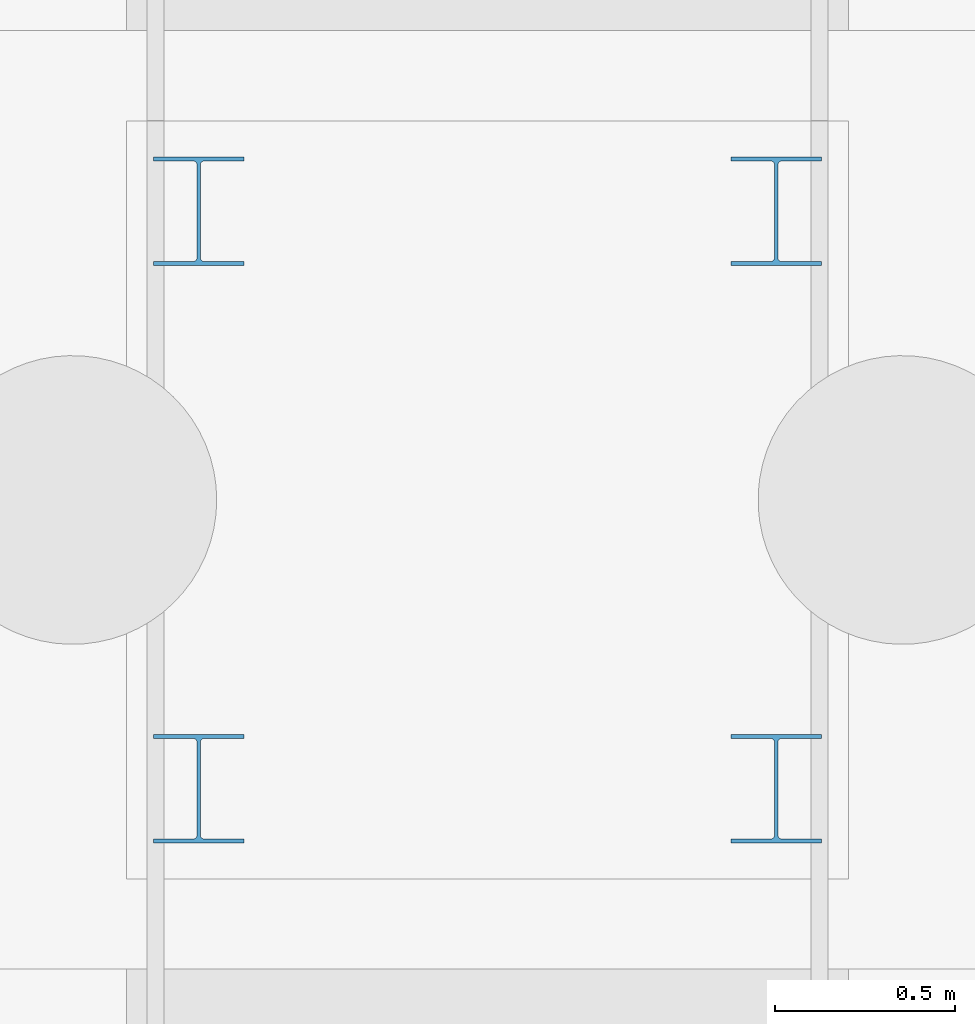
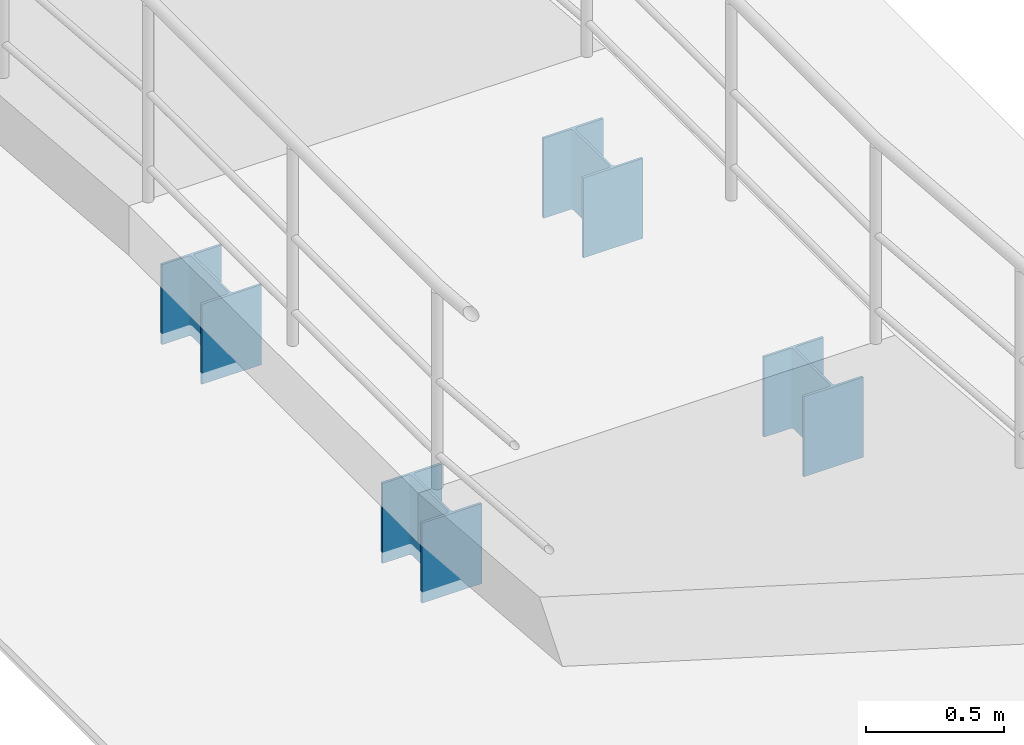
# One storey, part 26 of 147: 4 columns.
"""IFC4 building model written with IfcOpenShell, lengths in metres."""

from ifc_helpers import new_model, si_unit, direction, frame, origin, origin_2d, place, context, subcontext, project, spatial, i_section, extrude, material, material_profile, profile_set, type_object, element, save


model = new_model("IFC4")

# Units and contexts
model_context = context("Model", 3, precision=1e-05, world=origin(), true_north=direction((0.0, 1.0)))
body_context = subcontext(model_context, "Body", "Model", "MODEL_VIEW")
ifc_project = project(units=[si_unit("LENGTHUNIT", "METRE"), si_unit("AREAUNIT", "SQUARE_METRE"), si_unit("VOLUMEUNIT", "CUBIC_METRE"), si_unit("PLANEANGLEUNIT", "RADIAN"), si_unit("MASSUNIT", "GRAM", prefix="KILO")], contexts=[model_context])

# Site, building, storey
site_placement = place(None, origin())
site = spatial("IfcSite", under=ifc_project, at=site_placement, CompositionType="ELEMENT")
building_placement = place(site_placement, origin())
building = spatial("IfcBuilding", under=site, at=building_placement, Name="Varnabhumi Central Station", CompositionType="ELEMENT")
storey_placement = place(building_placement, origin())
storey = spatial("IfcBuildingStorey", under=building, at=storey_placement, Name="L00", CompositionType="ELEMENT", Elevation=0.0)

# Columns
ifc_material = material(Name="Structural steel E350", Category="steel")
ifc_material_profile = material_profile(ifc_material, i_section(OverallWidth=0.25, OverallDepth=0.300048828125, WebThickness=0.009521484375, FlangeThickness=0.010498046875, FilletRadius=0.010986328125, at=origin_2d()), Name="Structural steel E350", Category="steel")
ifc_profile_set = profile_set([ifc_material_profile], Name="Structural steel E350")
column_type = type_object("IfcColumnType", Name="COL-GALLERY-ISHB300", PredefinedType="COLUMN", material=ifc_profile_set)
for number, where, z_axis, x_axis, name in (
    (1, (67.199951171875, 128.64990234375, -1.10009765625), (0.0, 0.0, 1.0), (1.0, 0.0, 0.0), "RMP-NB-M Landing Pier 1"),
    (2, (68.800048828125, 128.64990234375, -1.10009765625), (0.0, 0.0, 1.0), (1.0, 0.0, 0.0), "RMP-NB-M Landing Pier 2"),
    (3, (67.199951171875, 127.050048828125, -1.10009765625), (0.0, 0.0, 1.0), (1.0, 0.0, 0.0), "RMP-NB-M Landing Pier 3"),
    (4, (68.800048828125, 127.050048828125, -1.10009765625), (0.0, 0.0, 1.0), (1.0, 0.0, 0.0), "RMP-NB-M Landing Pier 4"),
):
    element("IfcColumn", number, at=place(storey_placement, frame(where, z_axis=z_axis, x_axis=x_axis)), inside=storey, type_object=column_type, Name=name, PredefinedType="COLUMN", context=body_context, shape_type="SweptSolid", body=[
        extrude(i_section(OverallWidth=0.25, OverallDepth=0.300048828125, WebThickness=0.009521484375, FlangeThickness=0.010498046875, FilletRadius=0.010986328125, at=origin_2d()), origin(), (0.0, 0.0, 1.0), 0.35498046875),
    ])

save(model, "model.ifc")
